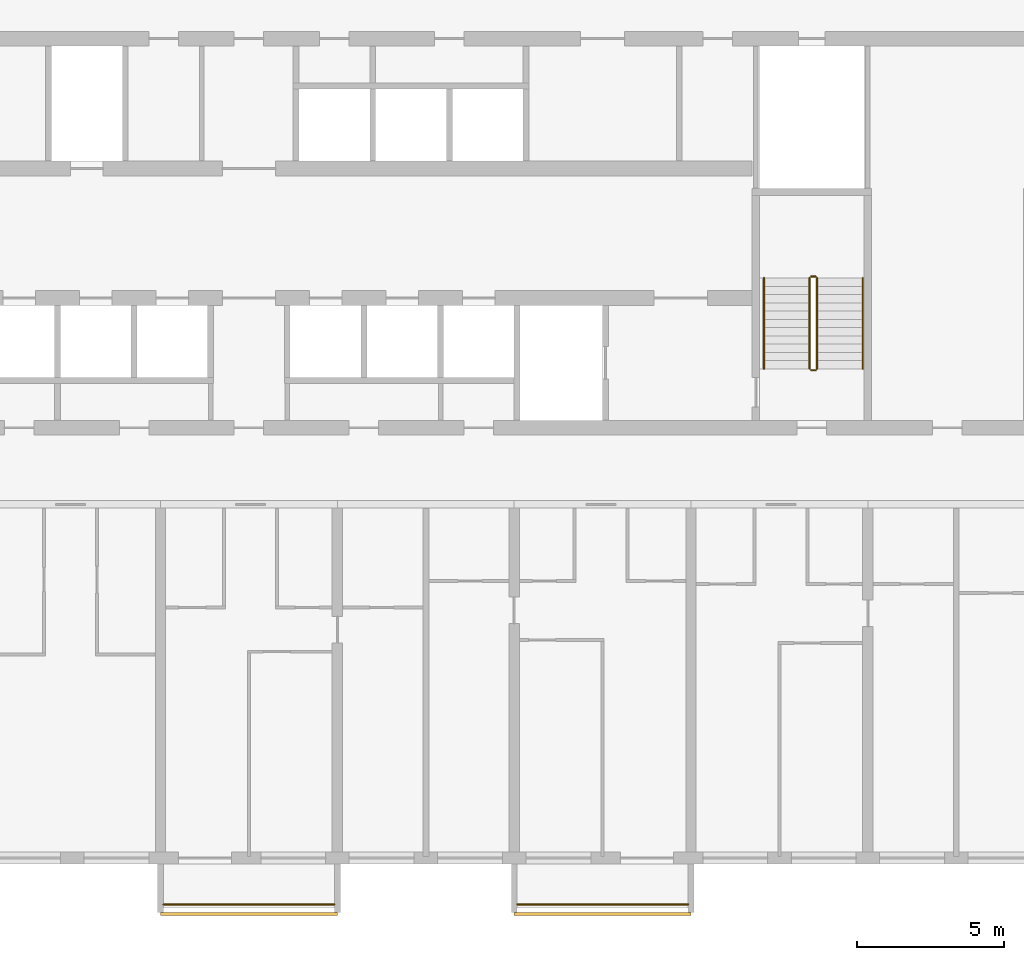
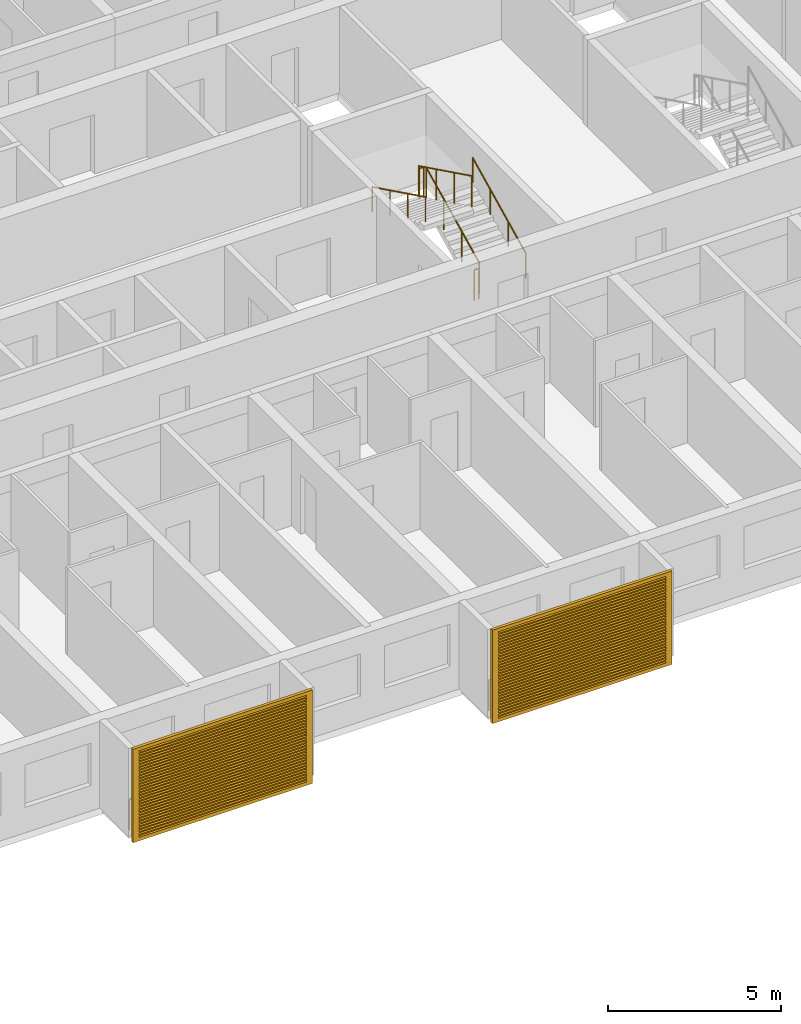
# One storey, part 16 of 24: 8 railings, 2 shading devices.
"""IFC4 building model written with IfcOpenShell, lengths in metres."""

import ifcopenshell
import ifcopenshell.guid

model = None  # the IFC model being written
_history = None  # IfcOwnerHistory: only IFC2X3 demands one
_inside = {}  # id of a spatial element -> (the spatial element, [elements in it])
_under = {}  # id of a project, library or spatial element -> (it, [spatial elements below it])
_declared = {}  # id of a project -> (the project, [libraries it declares])
_typed = {}  # id of a type object -> (the type object, [elements of that type])
_made_of = {}  # id of a material, layer set ... -> (it, [elements and type objects made of it])


def new_model(schema):
    """Start an empty IFC model of exactly this schema.

    Asked for "IFC4X3", IfcOpenShell would pick the latest addendum, in which some entities
    have other attributes; the version numbers below select the first issue.
    IFC2X3 requires an IfcOwnerHistory on every rooted entity: one is made here for all.
    """
    global model, _history
    if schema == "IFC4X3":
        model = ifcopenshell.file(schema_version=(4, 3, 0, 0))
    else:
        model = ifcopenshell.file(schema=schema)
    _inside.clear()
    _under.clear()
    _declared.clear()
    _typed.clear()
    _made_of.clear()
    _history = None
    if model.schema == "IFC2X3":
        org = make("IfcOrganization", Name="unknown")
        user = make(
            "IfcPersonAndOrganization",
            ThePerson=make("IfcPerson", FamilyName="unknown"),
            TheOrganization=org,
        )
        app = make(
            "IfcApplication",
            ApplicationDeveloper=org,
            Version="unknown",
            ApplicationFullName="unknown",
            ApplicationIdentifier="unknown",
        )
        _history = make(
            "IfcOwnerHistory",
            OwningUser=user,
            OwningApplication=app,
            ChangeAction="ADDED",
            CreationDate=0,
        )
    return model


def make(cls, **values):
    """One entity of the class cls with the attributes given. An attribute that is None is left unset."""
    return model.create_entity(
        cls, **{name: value for name, value in values.items() if value is not None}
    )


def rooted(cls, **values):
    """An entity with a GlobalId (a new one), such as an element, a storey or a relation."""
    return make(cls, GlobalId=ifcopenshell.guid.new(), OwnerHistory=_history, **values)


def si_unit(unit_type, name, prefix=None):
    """IfcSIUnit, for example si_unit("LENGTHUNIT", "METRE", prefix="MILLI")."""
    return make("IfcSIUnit", UnitType=unit_type, Prefix=prefix, Name=name)


def assignment(units):
    """IfcUnitAssignment: the units of a project."""
    return None if units is None else make("IfcUnitAssignment", Units=units)


def point(xyz):
    """IfcCartesianPoint."""
    return None if xyz is None else make("IfcCartesianPoint", Coordinates=xyz)


def direction(xyz):
    """IfcDirection."""
    return None if xyz is None else make("IfcDirection", DirectionRatios=xyz)


def frame(location, z_axis=None, x_axis=None):
    """IfcAxis2Placement3D, a coordinate frame: its origin and axes. An axis left out is left unset."""
    return make(
        "IfcAxis2Placement3D",
        Location=point(location),
        Axis=direction(z_axis),
        RefDirection=direction(x_axis),
    )


def frame_2d(location, x_axis=None):
    """IfcAxis2Placement2D, a coordinate frame in the plane: its origin and x axis."""
    return make(
        "IfcAxis2Placement2D", Location=point(location), RefDirection=direction(x_axis)
    )


def origin():
    """The frame at (0, 0, 0) with its axes left unset."""
    return frame((0.0, 0.0, 0.0))


def origin_2d():
    """The frame at (0, 0) in the plane with its x axis left unset."""
    return frame_2d((0.0, 0.0))


def place(relative_to, where):
    """IfcLocalPlacement: puts the frame where relative to a parent placement (None: the world)."""
    return make(
        "IfcLocalPlacement", PlacementRelTo=relative_to, RelativePlacement=where
    )


def context(
    kind, dimensions, precision=None, world=None, true_north=None, identifier=None
):
    """IfcGeometricRepresentationContext, for example the 3D "Model" context."""
    return make(
        "IfcGeometricRepresentationContext",
        ContextIdentifier=identifier,
        ContextType=kind,
        CoordinateSpaceDimension=dimensions,
        Precision=precision,
        WorldCoordinateSystem=world,
        TrueNorth=true_north,
    )


def subcontext(parent, identifier, kind, view, scale=None):
    """IfcGeometricRepresentationSubContext, for example "Body" below "Model"."""
    return make(
        "IfcGeometricRepresentationSubContext",
        ContextIdentifier=identifier,
        ContextType=kind,
        ParentContext=parent,
        TargetScale=scale,
        TargetView=view,
    )


def project(units=None, contexts=None):
    """IfcProject with its units and contexts."""
    return rooted(
        "IfcProject",
        Name="project",
        RepresentationContexts=contexts,
        UnitsInContext=assignment(units),
    )


def spatial(cls, under=None, at=None, **own):
    """A site, building, storey or space (cls), placed at a placement, below another one or the project."""
    s = rooted(cls, ObjectPlacement=at, **own)
    if under is not None:
        _under.setdefault(under.id(), (under, []))[1].append(s)
    return s


def polyline(points):
    """IfcPolyline through the points."""
    return make("IfcPolyline", Points=[point(p) for p in points])


def profile(cls, at=None, kind="AREA", **sizes):
    """A parametric profile (cls). Its sizes go by their IFC names, for example OverallWidth=200.0."""
    return make(cls, ProfileType=kind, Position=at, **sizes)


def circle(**sizes):
    """IfcCircleProfileDef."""
    return profile("IfcCircleProfileDef", **sizes)


def outline(outer, holes=None, kind="AREA"):
    """IfcArbitraryClosedProfileDef: a profile drawn as a closed curve; with holes, ...WithVoids."""
    if holes is None:
        return make("IfcArbitraryClosedProfileDef", ProfileType=kind, OuterCurve=outer)
    return make(
        "IfcArbitraryProfileDefWithVoids",
        ProfileType=kind,
        OuterCurve=outer,
        InnerCurves=holes,
    )


def extrude(swept, where, along, depth):
    """IfcExtrudedAreaSolid: the profile swept, set in the frame where, extruded along a direction by depth."""
    return make(
        "IfcExtrudedAreaSolid",
        SweptArea=swept,
        Position=where,
        ExtrudedDirection=direction(along),
        Depth=depth,
    )


def shape(context_of_items, identifier, shape_type, items):
    """IfcShapeRepresentation: the items that make up one representation, for example the "Body"."""
    return make(
        "IfcShapeRepresentation",
        ContextOfItems=context_of_items,
        RepresentationIdentifier=identifier,
        RepresentationType=shape_type,
        Items=items,
    )


def source(mapping_origin, context_of_items, identifier, shape_type, items):
    """IfcRepresentationMap: a shape defined once, which mapped items show again and again."""
    return make(
        "IfcRepresentationMap",
        MappingOrigin=mapping_origin,
        MappedRepresentation=shape(context_of_items, identifier, shape_type, items),
    )


def transform(
    local_origin,
    x_axis=None,
    y_axis=None,
    z_axis=None,
    scale=None,
    scale2=None,
    scale3=None,
    uniform=True,
):
    """IfcCartesianTransformationOperator3D, or its non-uniform kind. x_axis, y_axis, z_axis: its Axis1, 2, 3."""
    if uniform:
        return make(
            "IfcCartesianTransformationOperator3D",
            Axis1=direction(x_axis),
            Axis2=direction(y_axis),
            LocalOrigin=point(local_origin),
            Scale=scale,
            Axis3=direction(z_axis),
        )
    return make(
        "IfcCartesianTransformationOperator3DnonUniform",
        Axis1=direction(x_axis),
        Axis2=direction(y_axis),
        LocalOrigin=point(local_origin),
        Scale=scale,
        Axis3=direction(z_axis),
        Scale2=scale2,
        Scale3=scale3,
    )


def mapped(mapping_source, mapping_target):
    """IfcMappedItem: shows the shape of a source again, moved by a transform."""
    return make(
        "IfcMappedItem", MappingSource=mapping_source, MappingTarget=mapping_target
    )


def material(Name=None, Category=None):
    """IfcMaterial."""
    return make("IfcMaterial", Name=Name, Category=Category)


def material_profile(
    of_material, cross_section, Name=None, Category=None, Priority=None
):
    """IfcMaterialProfile: a cross section and its material."""
    return make(
        "IfcMaterialProfile",
        Name=Name,
        Material=of_material,
        Profile=cross_section,
        Priority=Priority,
        Category=Category,
    )


def profile_set(profiles, Name=None, composite=None):
    """IfcMaterialProfileSet."""
    return make(
        "IfcMaterialProfileSet",
        Name=Name,
        MaterialProfiles=profiles,
        CompositeProfile=composite,
    )


def made_of(thing, what):
    """Note that an element or type object is made of a material, layer set ...; save() writes the relation."""
    if what is not None:
        _made_of.setdefault(what.id(), (what, []))[1].append(thing)
    return thing


def type_object(cls, material=None, **own):
    """A type object (cls), such as IfcWallType, which elements share."""
    return made_of(rooted(cls, **own), material)


def element(
    cls,
    number,
    at=None,
    inside=None,
    cuts=None,
    type_object=None,
    material=None,
    context=None,
    identifier="Body",
    shape_type=None,
    held_by="IfcProductDefinitionShape",
    body=None,
    shapes=None,
    **own,
):
    """One element of the class cls, such as IfcWall. Its Tag is "e" and its number.

    at: its placement. inside: the storey or other place that contains it. cuts: it is an
    opening in that element (IfcRelVoidsElement). A single representation is given by context,
    identifier, shape_type and body (its items); several are given by shapes. held_by: the class
    of the entity that holds the representations. save() writes the other relations.
    """
    e = rooted(cls, Tag="e%d" % number, ObjectPlacement=at, **own)
    if body is not None:
        shapes = [shape(context, identifier, shape_type, body)]
    if shapes is not None:
        e.Representation = make(held_by, Representations=shapes)
    if inside is not None:
        _inside.setdefault(inside.id(), (inside, []))[1].append(e)
    if cuts is not None:
        rooted(
            "IfcRelVoidsElement", RelatingBuildingElement=cuts, RelatedOpeningElement=e
        )
    if type_object is not None:
        _typed.setdefault(type_object.id(), (type_object, []))[1].append(e)
    return made_of(e, material)


def aggregate(whole, parts):
    """IfcRelAggregates: a whole, such as a stair, and the parts it consists of."""
    return rooted("IfcRelAggregates", RelatingObject=whole, RelatedObjects=parts)


def save(model, path):
    """Write the relations noted so far, then the file.

    IfcRelAggregates (storeys below a building ...), IfcRelContainedInSpatialStructure (elements
    in a storey), IfcRelDefinesByType, IfcRelAssociatesMaterial and IfcRelDeclares: one each for
    every whole, place, type object, material and project.
    """
    for whole, parts in _under.values():
        aggregate(whole, parts)
    for where, things in _inside.values():
        rooted(
            "IfcRelContainedInSpatialStructure",
            RelatedElements=things,
            RelatingStructure=where,
        )
    for kind, things in _typed.values():
        rooted("IfcRelDefinesByType", RelatedObjects=things, RelatingType=kind)
    for what, things in _made_of.values():
        rooted("IfcRelAssociatesMaterial", RelatedObjects=things, RelatingMaterial=what)
    for by, libraries in _declared.values():
        rooted("IfcRelDeclares", RelatingContext=by, RelatedDefinitions=libraries)
    model.write(path)


model = new_model("IFC4")

# Units and contexts
model_context = context("Model", 3, precision=1e-05, world=origin(), true_north=direction((0.0, 1.0)))
body_context = subcontext(model_context, "Body", "Model", "MODEL_VIEW")
ifc_project = project(units=[si_unit("LENGTHUNIT", "METRE"), si_unit("AREAUNIT", "SQUARE_METRE"), si_unit("VOLUMEUNIT", "CUBIC_METRE"), si_unit("PLANEANGLEUNIT", "RADIAN"), si_unit("MASSUNIT", "GRAM", prefix="KILO")], contexts=[model_context])

# Site, building, storey
site_placement = place(None, origin())
site = spatial("IfcSite", under=ifc_project, at=site_placement, CompositionType="ELEMENT")
building_placement = place(site_placement, origin())
building = spatial("IfcBuilding", under=site, at=building_placement, Name="Poui Terraces", CompositionType="ELEMENT")
storey_placement = place(building_placement, frame((0.0, 0.0, 109.199951171875)))
storey = spatial("IfcBuildingStorey", under=building, at=storey_placement, Name="L30", CompositionType="ELEMENT", Elevation=109.199951171875)

# Railings
ifc_material_1 = material(Name="Painted steel fretwork", Category="steel")
railing_type_1 = type_object("IfcRailingType", Name="BALCONY GUARD 1100", PredefinedType="GUARDRAIL", material=ifc_material_1)
for number, where, name in (
    (1, (48.10009765625, -1.570068359375, 0.0), "BALCONY GUARD"),
    (2, (60.10009765625, -1.570068359375, 0.0), "BALCONY GUARD"),
):
    element("IfcRailing", number, at=place(storey_placement, frame(where)), inside=storey, type_object=railing_type_1, Name=name, PredefinedType="GUARDRAIL", context=body_context, shape_type="SweptSolid", body=[
        extrude(circle(Radius=0.02392578125, at=origin_2d()), frame((0.0, 0.0, 1.076171875), z_axis=(1.0, 0.0, 0.0), x_axis=(0.0, 1.0, 0.0)), (0.0, 0.0, 1.0), 5.7998046875),
        extrude(circle(Radius=0.02099609375, at=origin_2d()), origin(), (0.0, 0.0, 1.0), 1.052001953125),
        extrude(circle(Radius=0.02099609375, at=origin_2d()), frame((0.966552734375, 0.0, 0.0)), (0.0, 0.0, 1.0), 1.052001953125),
        extrude(circle(Radius=0.02099609375, at=origin_2d()), frame((1.933349609375, 0.0, 0.0)), (0.0, 0.0, 1.0), 1.052001953125),
        extrude(circle(Radius=0.02099609375, at=origin_2d()), frame((2.89990234375, 0.0, 0.0)), (0.0, 0.0, 1.0), 1.052001953125),
        extrude(circle(Radius=0.02099609375, at=origin_2d()), frame((3.866455078125, 0.0, 0.0)), (0.0, 0.0, 1.0), 1.052001953125),
        extrude(circle(Radius=0.02099609375, at=origin_2d()), frame((4.833251953125, 0.0, 0.0)), (0.0, 0.0, 1.0), 1.052001953125),
        extrude(circle(Radius=0.02099609375, at=origin_2d()), frame((5.7998046875, 0.0, 0.0)), (0.0, 0.0, 1.0), 1.052001953125),
    ])
ifc_material_2 = material(Name="Galvanised steel balustrade", Category="steel")
railing_type_2 = type_object("IfcRailingType", Name="STAIR GUARD 1100", PredefinedType="GUARDRAIL", material=ifc_material_2)
railing_1_placement = place(storey_placement, frame((70.27490234375, 16.60009765625, 0.137451171875)))
element("IfcRailing", 3, at=railing_1_placement, inside=storey, type_object=railing_type_2, Name="L30 ST-CE stair guard 1", PredefinedType="GUARDRAIL", context=body_context, shape_type="SweptSolid", body=[
    extrude(circle(Radius=0.02392578125, at=origin_2d()), frame((0.0, 0.0, 1.076171875), z_axis=(0.0, 0.897578036475, 0.440855609512), x_axis=(-1.0, 0.0, 0.0)), (0.0, 0.0, 1.0), 3.43115234375),
    extrude(circle(Radius=0.02099609375, at=origin_2d()), origin(), (0.0, 0.0, 1.0), 1.052001953125),
    extrude(circle(Radius=0.02099609375, at=origin_2d()), frame((0.0, 1.026611328125, 0.504150390625)), (0.0, 0.0, 1.0), 1.052001953125),
    extrude(circle(Radius=0.02099609375, at=origin_2d()), frame((0.0, 2.05322265625, 1.008544921875)), (0.0, 0.0, 1.0), 1.052001953125),
    extrude(circle(Radius=0.02099609375, at=origin_2d()), frame((0.0, 3.079833984375, 1.5126953125)), (0.0, 0.0, 1.0), 1.052001953125),
])
railing_2_placement = place(storey_placement, frame((70.22509765625, 19.72998046875, 1.650146484375)))
element("IfcRailing", 4, at=railing_2_placement, inside=storey, type_object=railing_type_2, Name="L30 ST-CE stair guard 2", PredefinedType="GUARDRAIL", context=body_context, shape_type="SweptSolid", body=[
    extrude(circle(Radius=0.02392578125, at=origin_2d()), frame((0.0, 0.0, 1.076171875), z_axis=(-1.0, 0.0, 0.0), x_axis=(0.0, -1.0, 0.0)), (0.0, 0.0, 1.0), 0.150146484375),
    extrude(circle(Radius=0.02099609375, at=origin_2d()), origin(), (0.0, 0.0, 1.0), 1.052001953125),
    extrude(circle(Radius=0.02099609375, at=origin_2d()), frame((-0.150146484375, 0.0, 0.0)), (0.0, 0.0, 1.0), 1.052001953125),
])
railing_3_placement = place(storey_placement, frame((70.02490234375, 19.679931640625, 1.78759765625)))
element("IfcRailing", 5, at=railing_3_placement, inside=storey, type_object=railing_type_2, Name="L30 ST-CE stair guard 3", PredefinedType="GUARDRAIL", context=body_context, shape_type="SweptSolid", body=[
    extrude(circle(Radius=0.02392578125, at=origin_2d()), frame((0.0, 0.0, 1.076171875), z_axis=(0.0, -0.897606190399, 0.440798283751), x_axis=(1.0, 0.0, 0.0)), (0.0, 0.0, 1.0), 3.43115234375),
    extrude(circle(Radius=0.02099609375, at=origin_2d()), origin(), (0.0, 0.0, 1.0), 1.052001953125),
    extrude(circle(Radius=0.02099609375, at=origin_2d()), frame((0.0, -1.026611328125, 0.504150390625)), (0.0, 0.0, 1.0), 1.052001953125),
    extrude(circle(Radius=0.02099609375, at=origin_2d()), frame((0.0, -2.05322265625, 1.00830078125)), (0.0, 0.0, 1.0), 1.052001953125),
    extrude(circle(Radius=0.02099609375, at=origin_2d()), frame((0.0, -3.079833984375, 1.512451171875)), (0.0, 0.0, 1.0), 1.052001953125),
])
railing_4_placement = place(storey_placement, frame((70.22509765625, 16.550048828125, 0.0)))
element("IfcRailing", 6, at=railing_4_placement, inside=storey, type_object=railing_type_2, Name="L30 ST-CE stair guard 4", PredefinedType="GUARDRAIL", context=body_context, shape_type="SweptSolid", body=[
    extrude(circle(Radius=0.02392578125, at=origin_2d()), frame((0.0, 0.0, 1.076171875), z_axis=(-1.0, 0.0, 0.0), x_axis=(0.0, -1.0, 0.0)), (0.0, 0.0, 1.0), 0.150146484375),
    extrude(circle(Radius=0.02099609375, at=origin_2d()), origin(), (0.0, 0.0, 1.0), 1.052001953125),
    extrude(circle(Radius=0.02099609375, at=origin_2d()), frame((-0.150146484375, 0.0, 0.0)), (0.0, 0.0, 1.0), 1.052001953125),
])
ifc_material_3 = material(Name="Stainless steel handrail", Category="steel")
railing_type_3 = type_object("IfcRailingType", Name="STAIR HANDRAIL 900", PredefinedType="HANDRAIL", material=ifc_material_3)
railing_5_placement = place(storey_placement, frame((71.824951171875, 16.60009765625, 0.137451171875)))
element("IfcRailing", 7, at=railing_5_placement, inside=storey, type_object=railing_type_3, Name="L30 ST-CE stair handrail 1", PredefinedType="HANDRAIL", context=body_context, shape_type="SweptSolid", body=[
    extrude(circle(Radius=0.02392578125, at=origin_2d()), frame((0.0, 0.0, 0.8759765625), z_axis=(0.0, 0.897578036475, 0.440855609512), x_axis=(-1.0, 0.0, 0.0)), (0.0, 0.0, 1.0), 3.43115234375),
    extrude(circle(Radius=0.02099609375, at=origin_2d()), origin(), (0.0, 0.0, 1.0), 0.851806640625),
    extrude(circle(Radius=0.02099609375, at=origin_2d()), frame((0.0, 1.026611328125, 0.504150390625)), (0.0, 0.0, 1.0), 0.851806640625),
    extrude(circle(Radius=0.02099609375, at=origin_2d()), frame((0.0, 2.05322265625, 1.008544921875)), (0.0, 0.0, 1.0), 0.851806640625),
    extrude(circle(Radius=0.02099609375, at=origin_2d()), frame((0.0, 3.079833984375, 1.5126953125)), (0.0, 0.0, 1.0), 0.851806640625),
])
railing_6_placement = place(storey_placement, frame((68.47509765625, 19.679931640625, 1.78759765625)))
element("IfcRailing", 8, at=railing_6_placement, inside=storey, type_object=railing_type_3, Name="L30 ST-CE stair handrail 2", PredefinedType="HANDRAIL", context=body_context, shape_type="SweptSolid", body=[
    extrude(circle(Radius=0.02392578125, at=origin_2d()), frame((0.0, 0.0, 0.8759765625), z_axis=(0.0, -0.897606190399, 0.440798283751), x_axis=(1.0, 0.0, 0.0)), (0.0, 0.0, 1.0), 3.43115234375),
    extrude(circle(Radius=0.02099609375, at=origin_2d()), origin(), (0.0, 0.0, 1.0), 0.851806640625),
    extrude(circle(Radius=0.02099609375, at=origin_2d()), frame((0.0, -1.026611328125, 0.504150390625)), (0.0, 0.0, 1.0), 0.851806640625),
    extrude(circle(Radius=0.02099609375, at=origin_2d()), frame((0.0, -2.05322265625, 1.00830078125)), (0.0, 0.0, 1.0), 0.851806640625),
    extrude(circle(Radius=0.02099609375, at=origin_2d()), frame((0.0, -3.079833984375, 1.512451171875)), (0.0, 0.0, 1.0), 0.851806640625),
])

# Shading devices
ifc_material_4 = material(Name="Aluminium louvre", Category="aluminium")
ifc_material_profile = material_profile(ifc_material_4, outline(polyline([(-3.0, -1.64990234375), (3.0, -1.64990234375), (3.0, 1.64990234375), (-3.0, 1.64990234375), (-3.0, -1.64990234375)]), holes=[polyline([(-2.800048828125, -1.530029296875), (2.800048828125, -1.530029296875), (2.800048828125, -1.469970703125), (-2.800048828125, -1.469970703125), (-2.800048828125, -1.530029296875)]), polyline([(-2.800048828125, -1.429931640625), (2.800048828125, -1.429931640625), (2.800048828125, -1.3701171875), (-2.800048828125, -1.3701171875), (-2.800048828125, -1.429931640625)]), polyline([(-2.800048828125, -1.330078125), (2.800048828125, -1.330078125), (2.800048828125, -1.27001953125), (-2.800048828125, -1.27001953125), (-2.800048828125, -1.330078125)]), polyline([(-2.800048828125, -1.22998046875), (2.800048828125, -1.22998046875), (2.800048828125, -1.169921875), (-2.800048828125, -1.169921875), (-2.800048828125, -1.22998046875)]), polyline([(-2.800048828125, -1.1298828125), (2.800048828125, -1.1298828125), (2.800048828125, -1.070068359375), (-2.800048828125, -1.070068359375), (-2.800048828125, -1.1298828125)]), polyline([(-2.800048828125, -1.030029296875), (2.800048828125, -1.030029296875), (2.800048828125, -0.969970703125), (-2.800048828125, -0.969970703125), (-2.800048828125, -1.030029296875)]), polyline([(-2.800048828125, -0.929931640625), (2.800048828125, -0.929931640625), (2.800048828125, -0.8701171875), (-2.800048828125, -0.8701171875), (-2.800048828125, -0.929931640625)]), polyline([(-2.800048828125, -0.830078125), (2.800048828125, -0.830078125), (2.800048828125, -0.77001953125), (-2.800048828125, -0.77001953125), (-2.800048828125, -0.830078125)]), polyline([(-2.800048828125, -0.72998046875), (2.800048828125, -0.72998046875), (2.800048828125, -0.669921875), (-2.800048828125, -0.669921875), (-2.800048828125, -0.72998046875)]), polyline([(-2.800048828125, -0.6298828125), (2.800048828125, -0.6298828125), (2.800048828125, -0.570068359375), (-2.800048828125, -0.570068359375), (-2.800048828125, -0.6298828125)]), polyline([(-2.800048828125, -0.530029296875), (2.800048828125, -0.530029296875), (2.800048828125, -0.469970703125), (-2.800048828125, -0.469970703125), (-2.800048828125, -0.530029296875)]), polyline([(-2.800048828125, -0.429931640625), (2.800048828125, -0.429931640625), (2.800048828125, -0.3701171875), (-2.800048828125, -0.3701171875), (-2.800048828125, -0.429931640625)]), polyline([(-2.800048828125, -0.330078125), (2.800048828125, -0.330078125), (2.800048828125, -0.27001953125), (-2.800048828125, -0.27001953125), (-2.800048828125, -0.330078125)]), polyline([(-2.800048828125, -0.22998046875), (2.800048828125, -0.22998046875), (2.800048828125, -0.169921875), (-2.800048828125, -0.169921875), (-2.800048828125, -0.22998046875)]), polyline([(-2.800048828125, -0.1298828125), (2.800048828125, -0.1298828125), (2.800048828125, -0.070068359375), (-2.800048828125, -0.070068359375), (-2.800048828125, -0.1298828125)]), polyline([(-2.800048828125, -0.030029296875), (2.800048828125, -0.030029296875), (2.800048828125, 0.030029296875), (-2.800048828125, 0.030029296875), (-2.800048828125, -0.030029296875)]), polyline([(-2.800048828125, 0.070068359375), (2.800048828125, 0.070068359375), (2.800048828125, 0.1298828125), (-2.800048828125, 0.1298828125), (-2.800048828125, 0.070068359375)]), polyline([(-2.800048828125, 0.169921875), (2.800048828125, 0.169921875), (2.800048828125, 0.22998046875), (-2.800048828125, 0.22998046875), (-2.800048828125, 0.169921875)]), polyline([(-2.800048828125, 0.27001953125), (2.800048828125, 0.27001953125), (2.800048828125, 0.330078125), (-2.800048828125, 0.330078125), (-2.800048828125, 0.27001953125)]), polyline([(-2.800048828125, 0.3701171875), (2.800048828125, 0.3701171875), (2.800048828125, 0.429931640625), (-2.800048828125, 0.429931640625), (-2.800048828125, 0.3701171875)]), polyline([(-2.800048828125, 0.469970703125), (2.800048828125, 0.469970703125), (2.800048828125, 0.530029296875), (-2.800048828125, 0.530029296875), (-2.800048828125, 0.469970703125)]), polyline([(-2.800048828125, 0.570068359375), (2.800048828125, 0.570068359375), (2.800048828125, 0.6298828125), (-2.800048828125, 0.6298828125), (-2.800048828125, 0.570068359375)]), polyline([(-2.800048828125, 0.669921875), (2.800048828125, 0.669921875), (2.800048828125, 0.72998046875), (-2.800048828125, 0.72998046875), (-2.800048828125, 0.669921875)]), polyline([(-2.800048828125, 0.77001953125), (2.800048828125, 0.77001953125), (2.800048828125, 0.830078125), (-2.800048828125, 0.830078125), (-2.800048828125, 0.77001953125)]), polyline([(-2.800048828125, 0.8701171875), (2.800048828125, 0.8701171875), (2.800048828125, 0.929931640625), (-2.800048828125, 0.929931640625), (-2.800048828125, 0.8701171875)]), polyline([(-2.800048828125, 0.969970703125), (2.800048828125, 0.969970703125), (2.800048828125, 1.030029296875), (-2.800048828125, 1.030029296875), (-2.800048828125, 0.969970703125)]), polyline([(-2.800048828125, 1.070068359375), (2.800048828125, 1.070068359375), (2.800048828125, 1.1298828125), (-2.800048828125, 1.1298828125), (-2.800048828125, 1.070068359375)]), polyline([(-2.800048828125, 1.169921875), (2.800048828125, 1.169921875), (2.800048828125, 1.22998046875), (-2.800048828125, 1.22998046875), (-2.800048828125, 1.169921875)]), polyline([(-2.800048828125, 1.27001953125), (2.800048828125, 1.27001953125), (2.800048828125, 1.330078125), (-2.800048828125, 1.330078125), (-2.800048828125, 1.27001953125)]), polyline([(-2.800048828125, 1.3701171875), (2.800048828125, 1.3701171875), (2.800048828125, 1.429931640625), (-2.800048828125, 1.429931640625), (-2.800048828125, 1.3701171875)]), polyline([(-2.800048828125, 1.469970703125), (2.800048828125, 1.469970703125), (2.800048828125, 1.530029296875), (-2.800048828125, 1.530029296875), (-2.800048828125, 1.469970703125)])]), Name="JALOUSIE LOUVRE SHUTTER 6000X3300")
ifc_profile_set = profile_set([ifc_material_profile], Name="Aluminium louvre")
shading_device_type = type_object("IfcShadingDeviceType", Name="JALOUSIE LOUVRE SHUTTER 6000X3300", PredefinedType="JALOUSIE", material=ifc_profile_set)
shared_shape = source(origin(), body_context, "Body", "SweptSolid", [
    extrude(outline(polyline([(-3.0, -1.64990234375), (3.0, -1.64990234375), (3.0, 1.64990234375), (-3.0, 1.64990234375), (-3.0, -1.64990234375)]), holes=[polyline([(-2.800048828125, -1.530029296875), (2.800048828125, -1.530029296875), (2.800048828125, -1.469970703125), (-2.800048828125, -1.469970703125), (-2.800048828125, -1.530029296875)]), polyline([(-2.800048828125, -1.429931640625), (2.800048828125, -1.429931640625), (2.800048828125, -1.3701171875), (-2.800048828125, -1.3701171875), (-2.800048828125, -1.429931640625)]), polyline([(-2.800048828125, -1.330078125), (2.800048828125, -1.330078125), (2.800048828125, -1.27001953125), (-2.800048828125, -1.27001953125), (-2.800048828125, -1.330078125)]), polyline([(-2.800048828125, -1.22998046875), (2.800048828125, -1.22998046875), (2.800048828125, -1.169921875), (-2.800048828125, -1.169921875), (-2.800048828125, -1.22998046875)]), polyline([(-2.800048828125, -1.1298828125), (2.800048828125, -1.1298828125), (2.800048828125, -1.070068359375), (-2.800048828125, -1.070068359375), (-2.800048828125, -1.1298828125)]), polyline([(-2.800048828125, -1.030029296875), (2.800048828125, -1.030029296875), (2.800048828125, -0.969970703125), (-2.800048828125, -0.969970703125), (-2.800048828125, -1.030029296875)]), polyline([(-2.800048828125, -0.929931640625), (2.800048828125, -0.929931640625), (2.800048828125, -0.8701171875), (-2.800048828125, -0.8701171875), (-2.800048828125, -0.929931640625)]), polyline([(-2.800048828125, -0.830078125), (2.800048828125, -0.830078125), (2.800048828125, -0.77001953125), (-2.800048828125, -0.77001953125), (-2.800048828125, -0.830078125)]), polyline([(-2.800048828125, -0.72998046875), (2.800048828125, -0.72998046875), (2.800048828125, -0.669921875), (-2.800048828125, -0.669921875), (-2.800048828125, -0.72998046875)]), polyline([(-2.800048828125, -0.6298828125), (2.800048828125, -0.6298828125), (2.800048828125, -0.570068359375), (-2.800048828125, -0.570068359375), (-2.800048828125, -0.6298828125)]), polyline([(-2.800048828125, -0.530029296875), (2.800048828125, -0.530029296875), (2.800048828125, -0.469970703125), (-2.800048828125, -0.469970703125), (-2.800048828125, -0.530029296875)]), polyline([(-2.800048828125, -0.429931640625), (2.800048828125, -0.429931640625), (2.800048828125, -0.3701171875), (-2.800048828125, -0.3701171875), (-2.800048828125, -0.429931640625)]), polyline([(-2.800048828125, -0.330078125), (2.800048828125, -0.330078125), (2.800048828125, -0.27001953125), (-2.800048828125, -0.27001953125), (-2.800048828125, -0.330078125)]), polyline([(-2.800048828125, -0.22998046875), (2.800048828125, -0.22998046875), (2.800048828125, -0.169921875), (-2.800048828125, -0.169921875), (-2.800048828125, -0.22998046875)]), polyline([(-2.800048828125, -0.1298828125), (2.800048828125, -0.1298828125), (2.800048828125, -0.070068359375), (-2.800048828125, -0.070068359375), (-2.800048828125, -0.1298828125)]), polyline([(-2.800048828125, -0.030029296875), (2.800048828125, -0.030029296875), (2.800048828125, 0.030029296875), (-2.800048828125, 0.030029296875), (-2.800048828125, -0.030029296875)]), polyline([(-2.800048828125, 0.070068359375), (2.800048828125, 0.070068359375), (2.800048828125, 0.1298828125), (-2.800048828125, 0.1298828125), (-2.800048828125, 0.070068359375)]), polyline([(-2.800048828125, 0.169921875), (2.800048828125, 0.169921875), (2.800048828125, 0.22998046875), (-2.800048828125, 0.22998046875), (-2.800048828125, 0.169921875)]), polyline([(-2.800048828125, 0.27001953125), (2.800048828125, 0.27001953125), (2.800048828125, 0.330078125), (-2.800048828125, 0.330078125), (-2.800048828125, 0.27001953125)]), polyline([(-2.800048828125, 0.3701171875), (2.800048828125, 0.3701171875), (2.800048828125, 0.429931640625), (-2.800048828125, 0.429931640625), (-2.800048828125, 0.3701171875)]), polyline([(-2.800048828125, 0.469970703125), (2.800048828125, 0.469970703125), (2.800048828125, 0.530029296875), (-2.800048828125, 0.530029296875), (-2.800048828125, 0.469970703125)]), polyline([(-2.800048828125, 0.570068359375), (2.800048828125, 0.570068359375), (2.800048828125, 0.6298828125), (-2.800048828125, 0.6298828125), (-2.800048828125, 0.570068359375)]), polyline([(-2.800048828125, 0.669921875), (2.800048828125, 0.669921875), (2.800048828125, 0.72998046875), (-2.800048828125, 0.72998046875), (-2.800048828125, 0.669921875)]), polyline([(-2.800048828125, 0.77001953125), (2.800048828125, 0.77001953125), (2.800048828125, 0.830078125), (-2.800048828125, 0.830078125), (-2.800048828125, 0.77001953125)]), polyline([(-2.800048828125, 0.8701171875), (2.800048828125, 0.8701171875), (2.800048828125, 0.929931640625), (-2.800048828125, 0.929931640625), (-2.800048828125, 0.8701171875)]), polyline([(-2.800048828125, 0.969970703125), (2.800048828125, 0.969970703125), (2.800048828125, 1.030029296875), (-2.800048828125, 1.030029296875), (-2.800048828125, 0.969970703125)]), polyline([(-2.800048828125, 1.070068359375), (2.800048828125, 1.070068359375), (2.800048828125, 1.1298828125), (-2.800048828125, 1.1298828125), (-2.800048828125, 1.070068359375)]), polyline([(-2.800048828125, 1.169921875), (2.800048828125, 1.169921875), (2.800048828125, 1.22998046875), (-2.800048828125, 1.22998046875), (-2.800048828125, 1.169921875)]), polyline([(-2.800048828125, 1.27001953125), (2.800048828125, 1.27001953125), (2.800048828125, 1.330078125), (-2.800048828125, 1.330078125), (-2.800048828125, 1.27001953125)]), polyline([(-2.800048828125, 1.3701171875), (2.800048828125, 1.3701171875), (2.800048828125, 1.429931640625), (-2.800048828125, 1.429931640625), (-2.800048828125, 1.3701171875)]), polyline([(-2.800048828125, 1.469970703125), (2.800048828125, 1.469970703125), (2.800048828125, 1.530029296875), (-2.800048828125, 1.530029296875), (-2.800048828125, 1.469970703125)])]), origin(), (0.0, 0.0, 1.0), 0.099853515625),
])
for number, where, z_axis, x_axis, name in (
    (9, (51.0, -1.85009765625, 1.449951171875), (0.0, -1.0, 0.0), (1.0, 0.0, 0.0), "JALOUSIE LOUVRE SHUTTER"),
    (10, (63.0, -1.85009765625, 1.449951171875), (0.0, -1.0, 0.0), (1.0, 0.0, 0.0), "JALOUSIE LOUVRE SHUTTER"),
):
    element("IfcShadingDevice", number, at=place(storey_placement, frame(where, z_axis=z_axis, x_axis=x_axis)), inside=storey, type_object=shading_device_type, Name=name, PredefinedType="JALOUSIE", context=body_context, shape_type="MappedRepresentation", body=[
        mapped(shared_shape, transform((0.0, 0.0, 0.0))),
    ])

save(model, "model.ifc")
